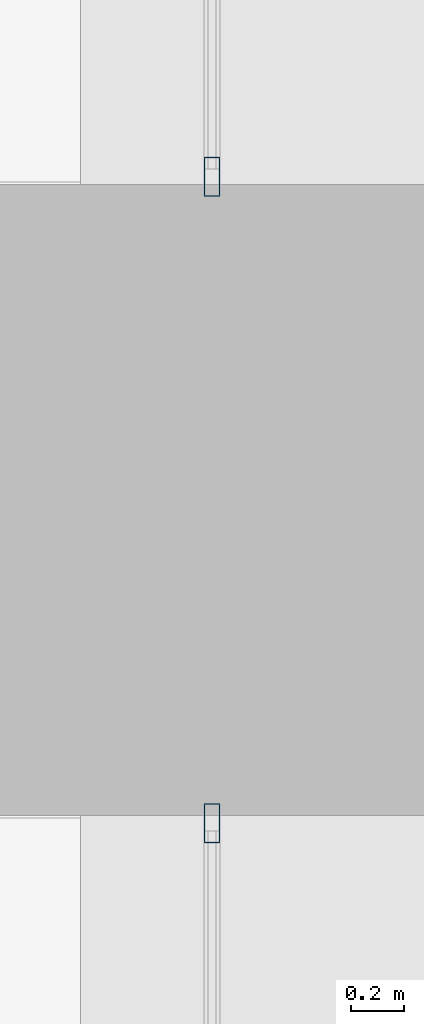
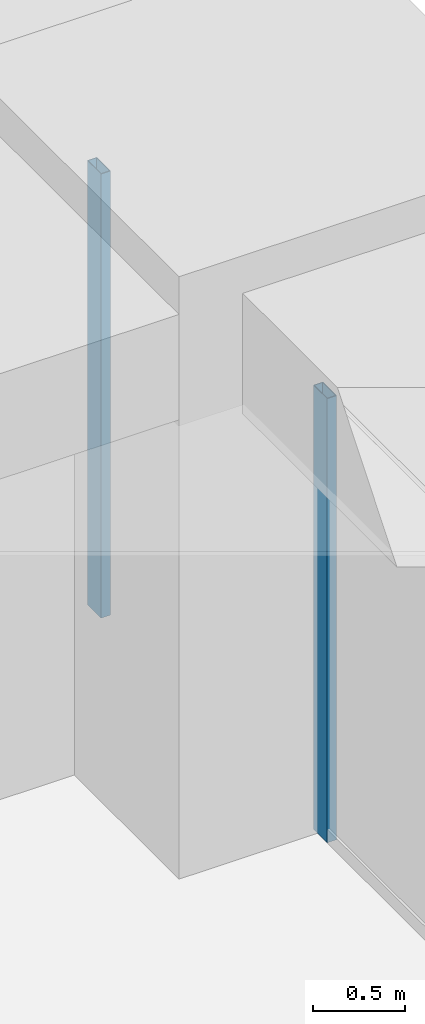
# One storey, part 23 of 43: 2 members, 2 elements without a shape of their own.
"""IFC4 building model written with IfcOpenShell, lengths in metres."""

from ifc_helpers import new_model, si_unit, direction, frame, origin, origin_2d, place, context, subcontext, project, spatial, hollow_rectangle, extrude, material, material_profile, profile_set, type_object, element, aggregate, save


model = new_model("IFC4")

# Units and contexts
model_context = context("Model", 3, precision=1e-05, world=origin(), true_north=direction((0.0, 1.0)))
body_context = subcontext(model_context, "Body", "Model", "MODEL_VIEW")
ifc_project = project(units=[si_unit("LENGTHUNIT", "METRE"), si_unit("AREAUNIT", "SQUARE_METRE"), si_unit("VOLUMEUNIT", "CUBIC_METRE"), si_unit("PLANEANGLEUNIT", "RADIAN"), si_unit("MASSUNIT", "GRAM", prefix="KILO")], contexts=[model_context])

# Site, building, storey
site_placement = place(None, origin())
site = spatial("IfcSite", under=ifc_project, at=site_placement, CompositionType="ELEMENT")
building_placement = place(site_placement, origin())
building = spatial("IfcBuilding", under=site, at=building_placement, Name="Zorevar Civic Tower", CompositionType="ELEMENT")
storey_placement = place(building_placement, frame((0.0, 0.0, 141.0)))
storey = spatial("IfcBuildingStorey", under=building, at=storey_placement, Name="L34", CompositionType="ELEMENT", Elevation=141.0)

# Curtain wall, member
ifc_material_1 = material(Name="Dark grey solar-control glass in black aluminium frame", Category="aluminium")
curtain_wall_type = type_object("IfcCurtainWallType", Name="Curtain wall CW3 mid zone", PredefinedType="NOTDEFINED", material=ifc_material_1)
curtain_wall_1_placement = place(storey_placement, origin())
curtain_wall_1 = element("IfcCurtainWall", 1, at=curtain_wall_1_placement, inside=storey, type_object=curtain_wall_type, Name="CW3 L34", PredefinedType="NOTDEFINED")
ifc_material_2 = material(Name="Aluminium, black anodised", Category="aluminium")
ifc_material_profile = material_profile(ifc_material_2, hollow_rectangle(XDim=0.06005859375, YDim=0.14990234375, WallThickness=0.00390625, at=origin_2d()), Name="AL 150x60x4")
ifc_profile_set = profile_set([ifc_material_profile], Name="Aluminium, black anodised")
member_type = type_object("IfcMemberType", Name="CW3 mullion AL 150x60x4", PredefinedType="MULLION", material=ifc_profile_set)
member_1_placement = place(storey_placement, frame((62.699951171875, 25.77001953125, 0.0), z_axis=(0.0, 0.0, 1.0), x_axis=(-1.0, 0.0, 0.0)))
member_1 = element("IfcMember", 2, at=member_1_placement, type_object=member_type, Name="CW3 mullion 3", PredefinedType="MULLION", context=body_context, shape_type="SweptSolid", body=[
    extrude(hollow_rectangle(XDim=0.06005859375, YDim=0.14990234375, WallThickness=0.00390625, at=origin_2d()), origin(), (0.0, 0.0, 1.0), 2.949951171875),
])
aggregate(curtain_wall_1, [member_1])

curtain_wall_2_placement = place(storey_placement, origin())
curtain_wall_2 = element("IfcCurtainWall", 3, at=curtain_wall_2_placement, inside=storey, type_object=curtain_wall_type, Name="CW3 L34", PredefinedType="NOTDEFINED")
member_2_placement = place(storey_placement, frame((62.699951171875, 28.22998046875, 0.0), z_axis=(0.0, 0.0, 1.0), x_axis=(-1.0, 0.0, 0.0)))
member_2 = element("IfcMember", 4, at=member_2_placement, type_object=member_type, Name="CW3 mullion 1", PredefinedType="MULLION", context=body_context, shape_type="SweptSolid", body=[
    extrude(hollow_rectangle(XDim=0.06005859375, YDim=0.14990234375, WallThickness=0.00390625, at=origin_2d()), origin(), (0.0, 0.0, 1.0), 2.949951171875),
])
aggregate(curtain_wall_2, [member_2])

save(model, "model.ifc")
